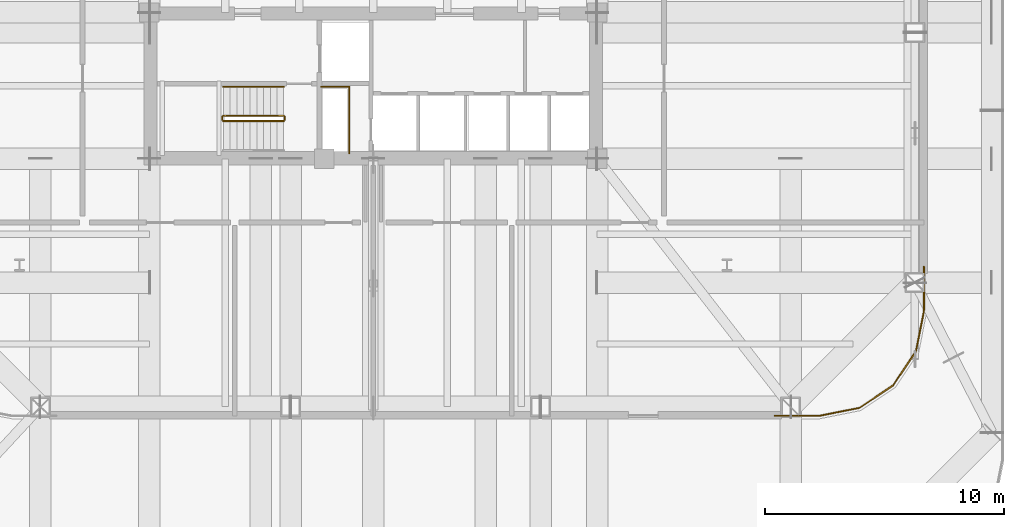
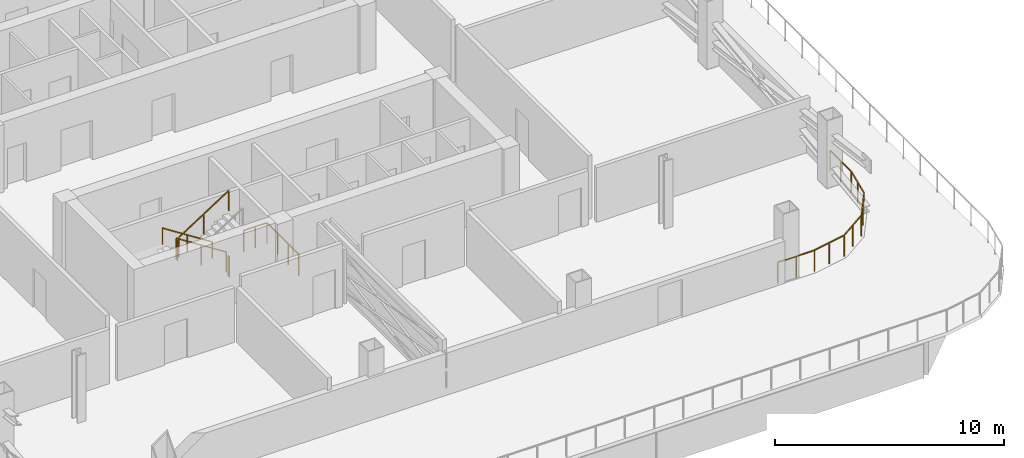
# One storey, part 12 of 16: 8 railings.
"""IFC4 building model written with IfcOpenShell, lengths in metres."""

from ifc_helpers import new_model, si_unit, direction, frame, origin, origin_2d, place, context, subcontext, project, spatial, rectangle, extrude, material, type_object, element, save


model = new_model("IFC4")

# Units and contexts
model_context = context("Model", 3, precision=1e-05, world=origin(), true_north=direction((0.0, 1.0)))
body_context = subcontext(model_context, "Body", "Model", "MODEL_VIEW")
ifc_project = project(units=[si_unit("LENGTHUNIT", "METRE"), si_unit("AREAUNIT", "SQUARE_METRE"), si_unit("VOLUMEUNIT", "CUBIC_METRE"), si_unit("PLANEANGLEUNIT", "RADIAN"), si_unit("MASSUNIT", "GRAM", prefix="KILO")], contexts=[model_context])

# Site, building, storey
site_placement = place(None, origin())
site = spatial("IfcSite", under=ifc_project, at=site_placement, CompositionType="ELEMENT")
building_placement = place(site_placement, origin())
building = spatial("IfcBuilding", under=site, at=building_placement, Name="Qhalaya Broadcast Tower", CompositionType="ELEMENT")
storey_placement = place(building_placement, frame((0.0, 0.0, 57.89990234375)))
storey = spatial("IfcBuildingStorey", under=building, at=storey_placement, Name="L16", CompositionType="ELEMENT", Elevation=57.89990234375)

# Railings
ifc_material = material(Name="Powder-Coated Galvanised Steel", Category="steel")
railing_type_1 = type_object("IfcRailingType", Name="Stair Wall Handrail 900", PredefinedType="HANDRAIL", material=ifc_material)
railing_1_placement = place(storey_placement, frame((-3.75, -5.72998046875, 0.18017578125)))
element("IfcRailing", 1, at=railing_1_placement, inside=storey, type_object=railing_type_1, Name="L16 ST-2 Stair Handrail 1", PredefinedType="HANDRAIL", context=body_context, shape_type="SweptSolid", body=[
    extrude(rectangle(XDim=0.048095703125, YDim=0.048095703125, at=origin_2d()), frame((0.0, 0.0, 0.8759765625), z_axis=(-0.841199657755, 0.0, 0.540724639528), x_axis=(0.0, -1.0, 0.0)), (0.0, 0.0, 1.0), 2.995849609375),
    extrude(rectangle(XDim=0.0419921875, YDim=0.0419921875, at=origin_2d()), origin(), (0.0, 0.0, 1.0), 0.849853515625),
    extrude(rectangle(XDim=0.0419921875, YDim=0.0419921875, at=origin_2d()), frame((-1.260009765625, 0.0, 0.81005859375)), (0.0, 0.0, 1.0), 0.849853515625),
    extrude(rectangle(XDim=0.0419921875, YDim=0.0419921875, at=origin_2d()), frame((-2.52001953125, 0.0, 1.619873046875)), (0.0, 0.0, 1.0), 0.849853515625),
])
railing_type_2 = type_object("IfcRailingType", Name="Stair Well & Landing Guardrail 1100", PredefinedType="GUARDRAIL", material=ifc_material)
railing_2_placement = place(storey_placement, frame((-1.0, -8.52001953125, 0.0)))
element("IfcRailing", 2, at=railing_2_placement, inside=storey, type_object=railing_type_2, Name="L16 Service Riser Opening Safety Guard SRSR", PredefinedType="GUARDRAIL", context=body_context, shape_type="SweptSolid", body=[
    extrude(rectangle(XDim=0.048095703125, YDim=0.048095703125, at=origin_2d()), frame((0.0, 0.0, 1.1259765625), z_axis=(0.0, 1.0, 0.0), x_axis=(-1.0, 0.0, 0.0)), (0.0, 0.0, 1.0), 2.751220703125),
    extrude(rectangle(XDim=0.048095703125, YDim=0.048095703125, at=origin_2d()), frame((-0.02880859375, 2.780029296875, 1.1259765625), z_axis=(-1.0, 0.0, 0.0), x_axis=(0.0, -1.0, 0.0)), (0.0, 0.0, 1.0), 1.151123046875),
    extrude(rectangle(XDim=0.0419921875, YDim=0.0419921875, at=origin_2d()), origin(), (0.0, 0.0, 1.0), 1.099853515625),
    extrude(rectangle(XDim=0.0419921875, YDim=0.0419921875, at=origin_2d()), frame((0.0, 0.9267578125, 0.0)), (0.0, 0.0, 1.0), 1.099853515625),
    extrude(rectangle(XDim=0.0419921875, YDim=0.0419921875, at=origin_2d()), frame((0.0, 1.853271484375, 0.0)), (0.0, 0.0, 1.0), 1.099853515625),
    extrude(rectangle(XDim=0.0419921875, YDim=0.0419921875, at=origin_2d()), frame((0.0, 2.780029296875, 0.0)), (0.0, 0.0, 1.0), 1.099853515625),
    extrude(rectangle(XDim=0.0419921875, YDim=0.0419921875, at=origin_2d()), frame((-0.58984375, 2.780029296875, 0.0)), (0.0, 0.0, 1.0), 1.099853515625),
    extrude(rectangle(XDim=0.0419921875, YDim=0.0419921875, at=origin_2d()), frame((-1.179931640625, 2.780029296875, 0.0)), (0.0, 0.0, 1.0), 1.099853515625),
])
railing_3_placement = place(storey_placement, frame((-3.75, -6.949951171875, 0.18017578125)))
element("IfcRailing", 3, at=railing_3_placement, inside=storey, type_object=railing_type_2, Name="L16 ST-2 Stair Guard 1", PredefinedType="GUARDRAIL", context=body_context, shape_type="SweptSolid", body=[
    extrude(rectangle(XDim=0.048095703125, YDim=0.048095703125, at=origin_2d()), frame((0.0, 0.0, 1.076171875), z_axis=(-0.841199657755, 0.0, 0.540724639528), x_axis=(0.0, -1.0, 0.0)), (0.0, 0.0, 1.0), 2.995849609375),
    extrude(rectangle(XDim=0.0419921875, YDim=0.0419921875, at=origin_2d()), origin(), (0.0, 0.0, 1.0), 1.050048828125),
    extrude(rectangle(XDim=0.0419921875, YDim=0.0419921875, at=origin_2d()), frame((-1.260009765625, 0.0, 0.81005859375)), (0.0, 0.0, 1.0), 1.050048828125),
    extrude(rectangle(XDim=0.0419921875, YDim=0.0419921875, at=origin_2d()), frame((-2.52001953125, 0.0, 1.619873046875)), (0.0, 0.0, 1.0), 1.050048828125),
])
railing_4_placement = place(storey_placement, frame((-6.320068359375, -7.0, 1.800048828125)))
element("IfcRailing", 4, at=railing_4_placement, inside=storey, type_object=railing_type_2, Name="L16 ST-2 Stair Guard 2", PredefinedType="GUARDRAIL", context=body_context, shape_type="SweptSolid", body=[
    extrude(rectangle(XDim=0.048095703125, YDim=0.048095703125, at=origin_2d()), frame((0.0, 0.0, 1.076171875), z_axis=(0.0, -1.0, 0.0), x_axis=(1.0, 0.0, 0.0)), (0.0, 0.0, 1.0), 0.1201171875),
    extrude(rectangle(XDim=0.0419921875, YDim=0.0419921875, at=origin_2d()), origin(), (0.0, 0.0, 1.0), 1.050048828125),
    extrude(rectangle(XDim=0.0419921875, YDim=0.0419921875, at=origin_2d()), frame((0.0, -0.1201171875, 0.0)), (0.0, 0.0, 1.0), 1.050048828125),
])
railing_5_placement = place(storey_placement, frame((-6.27001953125, -7.169921875, 1.97998046875)))
element("IfcRailing", 5, at=railing_5_placement, inside=storey, type_object=railing_type_2, Name="L16 ST-2 Stair Guard 3", PredefinedType="GUARDRAIL", context=body_context, shape_type="SweptSolid", body=[
    extrude(rectangle(XDim=0.048095703125, YDim=0.048095703125, at=origin_2d()), frame((0.0, 0.0, 1.076171875), z_axis=(0.841162588446, 0.0, 0.540782303519), x_axis=(0.0, 1.0, 0.0)), (0.0, 0.0, 1.0), 2.995849609375),
    extrude(rectangle(XDim=0.0419921875, YDim=0.0419921875, at=origin_2d()), origin(), (0.0, 0.0, 1.0), 1.050048828125),
    extrude(rectangle(XDim=0.0419921875, YDim=0.0419921875, at=origin_2d()), frame((1.260009765625, 0.0, 0.81005859375)), (0.0, 0.0, 1.0), 1.050048828125),
    extrude(rectangle(XDim=0.0419921875, YDim=0.0419921875, at=origin_2d()), frame((2.52001953125, 0.0, 1.6201171875)), (0.0, 0.0, 1.0), 1.050048828125),
])
railing_6_placement = place(storey_placement, frame((-3.699951171875, -7.0, 0.0)))
element("IfcRailing", 6, at=railing_6_placement, inside=storey, type_object=railing_type_2, Name="L16 ST-2 Stair Guard 4", PredefinedType="GUARDRAIL", context=body_context, shape_type="SweptSolid", body=[
    extrude(rectangle(XDim=0.048095703125, YDim=0.048095703125, at=origin_2d()), frame((0.0, 0.0, 1.076171875), z_axis=(0.0, -1.0, 0.0), x_axis=(1.0, 0.0, 0.0)), (0.0, 0.0, 1.0), 0.1201171875),
    extrude(rectangle(XDim=0.0419921875, YDim=0.0419921875, at=origin_2d()), origin(), (0.0, 0.0, 1.0), 1.050048828125),
    extrude(rectangle(XDim=0.0419921875, YDim=0.0419921875, at=origin_2d()), frame((0.0, -0.1201171875, 0.0)), (0.0, 0.0, 1.0), 1.050048828125),
])
railing_type_3 = type_object("IfcRailingType", Name="Terrace, Sky-Pool & Lookout Glass Balustrade 1150", PredefinedType="BALUSTRADE", material=ifc_material)
railing_7_placement = place(storey_placement, frame((18.658203125, -19.510009765625, 0.0)))
element("IfcRailing", 7, at=railing_7_placement, inside=storey, type_object=railing_type_3, Name="L16 Rounded Corner Perimeter Guard 01", PredefinedType="BALUSTRADE", context=body_context, shape_type="SweptSolid", body=[
    extrude(rectangle(XDim=0.048095703125, YDim=0.048095703125, at=origin_2d()), frame((0.0, 0.0, 1.1259765625), z_axis=(-1.0, 0.0, 0.0), x_axis=(0.0, -1.0, 0.0)), (0.0, 0.0, 1.0), 1.856201171875),
    extrude(rectangle(XDim=0.0419921875, YDim=0.0419921875, at=origin_2d()), origin(), (0.0, 0.0, 1.0), 1.099853515625),
    extrude(rectangle(XDim=0.0419921875, YDim=0.0419921875, at=origin_2d()), frame((-0.92822265625, 0.0, 0.0)), (0.0, 0.0, 1.0), 1.099853515625),
    extrude(rectangle(XDim=0.0419921875, YDim=0.0419921875, at=origin_2d()), frame((-1.856201171875, 0.0, 0.0)), (0.0, 0.0, 1.0), 1.099853515625),
])
railing_8_placement = place(storey_placement, frame((23.050048828125, -13.261962890625, 0.0)))
element("IfcRailing", 8, at=railing_8_placement, inside=storey, type_object=railing_type_3, Name="L16 Rounded Corner Perimeter Guard 05", PredefinedType="BALUSTRADE", context=body_context, shape_type="SweptSolid", body=[
    extrude(rectangle(XDim=0.048095703125, YDim=0.048095703125, at=origin_2d()), frame((0.0, 0.0, 1.1259765625), z_axis=(0.0, -1.0, 0.0), x_axis=(1.0, 0.0, 0.0)), (0.0, 0.0, 1.0), 1.827392578125),
    extrude(rectangle(XDim=0.048095703125, YDim=0.048095703125, at=origin_2d()), frame((-0.005615234375, -1.884521484375, 1.1259765625), z_axis=(-0.194997028864, -0.980803832953, 0.0), x_axis=(0.980803832953, -0.194997028864, 0.0)), (0.0, 0.0, 1.0), 1.66259765625),
    extrude(rectangle(XDim=0.048095703125, YDim=0.048095703125, at=origin_2d()), frame((-0.3515625, -3.5673828125, 1.1259765625), z_axis=(-0.555689279209, -0.831390055854, 0.0), x_axis=(0.831390055854, -0.555689279209, 0.0)), (0.0, 0.0, 1.0), 1.650390625),
    extrude(rectangle(XDim=0.048095703125, YDim=0.048095703125, at=origin_2d()), frame((-1.30859375, -4.979736328125, 1.1259765625), z_axis=(-0.831456085426, -0.555590476887, 0.0), x_axis=(0.555590476887, -0.831456085426, 0.0)), (0.0, 0.0, 1.0), 1.650390625),
    extrude(rectangle(XDim=0.048095703125, YDim=0.048095703125, at=origin_2d()), frame((-2.733154296875, -5.918212890625, 1.1259765625), z_axis=(-0.980798435511, -0.195024175165, 0.0), x_axis=(0.195024175165, -0.980798435511, 0.0)), (0.0, 0.0, 1.0), 1.691162109375),
    extrude(rectangle(XDim=0.0419921875, YDim=0.0419921875, at=origin_2d()), origin(), (0.0, 0.0, 1.0), 1.099853515625),
    extrude(rectangle(XDim=0.0419921875, YDim=0.0419921875, at=origin_2d()), frame((0.0, -0.92822265625, 0.0)), (0.0, 0.0, 1.0), 1.099853515625),
    extrude(rectangle(XDim=0.0419921875, YDim=0.0419921875, at=origin_2d()), frame((0.0, -1.856201171875, 0.0)), (0.0, 0.0, 1.0), 1.099853515625),
    extrude(rectangle(XDim=0.0419921875, YDim=0.0419921875, at=origin_2d()), frame((-0.167724609375, -2.69970703125, 0.0)), (0.0, 0.0, 1.0), 1.099853515625),
    extrude(rectangle(XDim=0.0419921875, YDim=0.0419921875, at=origin_2d()), frame((-0.33544921875, -3.54345703125, 0.0)), (0.0, 0.0, 1.0), 1.099853515625),
    extrude(rectangle(XDim=0.0419921875, YDim=0.0419921875, at=origin_2d()), frame((-0.81005859375, -4.25341796875, 0.0)), (0.0, 0.0, 1.0), 1.099853515625),
    extrude(rectangle(XDim=0.0419921875, YDim=0.0419921875, at=origin_2d()), frame((-1.28466796875, -4.963623046875, 0.0)), (0.0, 0.0, 1.0), 1.099853515625),
    extrude(rectangle(XDim=0.0419921875, YDim=0.0419921875, at=origin_2d()), frame((-1.99462890625, -5.43798828125, 0.0)), (0.0, 0.0, 1.0), 1.099853515625),
    extrude(rectangle(XDim=0.0419921875, YDim=0.0419921875, at=origin_2d()), frame((-2.704833984375, -5.91259765625, 0.0)), (0.0, 0.0, 1.0), 1.099853515625),
    extrude(rectangle(XDim=0.0419921875, YDim=0.0419921875, at=origin_2d()), frame((-3.54833984375, -6.080322265625, 0.0)), (0.0, 0.0, 1.0), 1.099853515625),
    extrude(rectangle(XDim=0.0419921875, YDim=0.0419921875, at=origin_2d()), frame((-4.391845703125, -6.248046875, 0.0)), (0.0, 0.0, 1.0), 1.099853515625),
])

save(model, "model.ifc")
